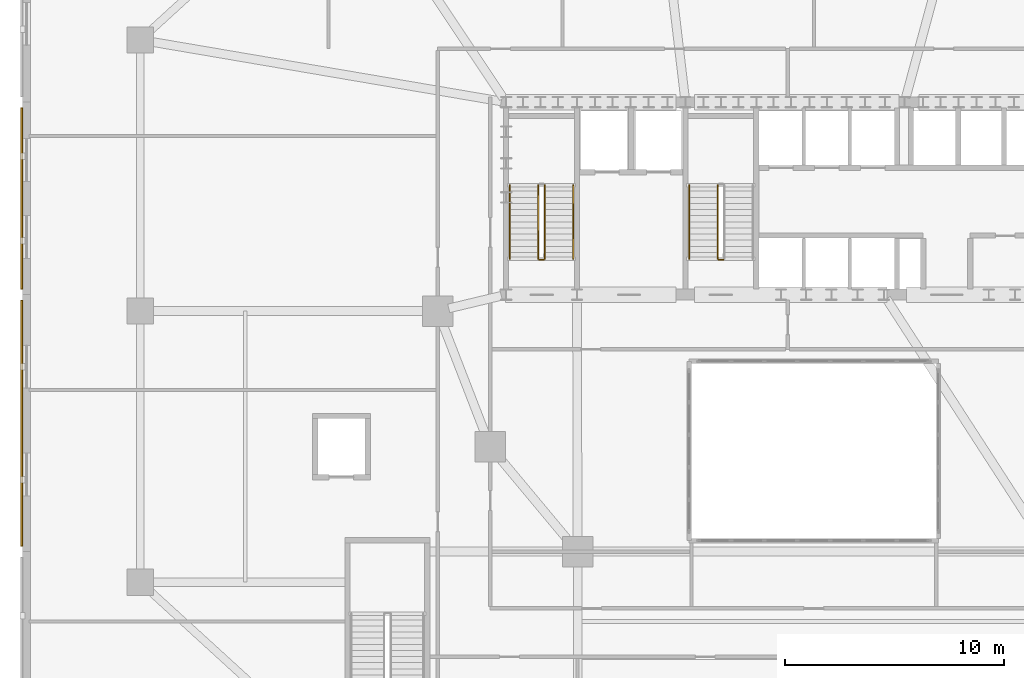
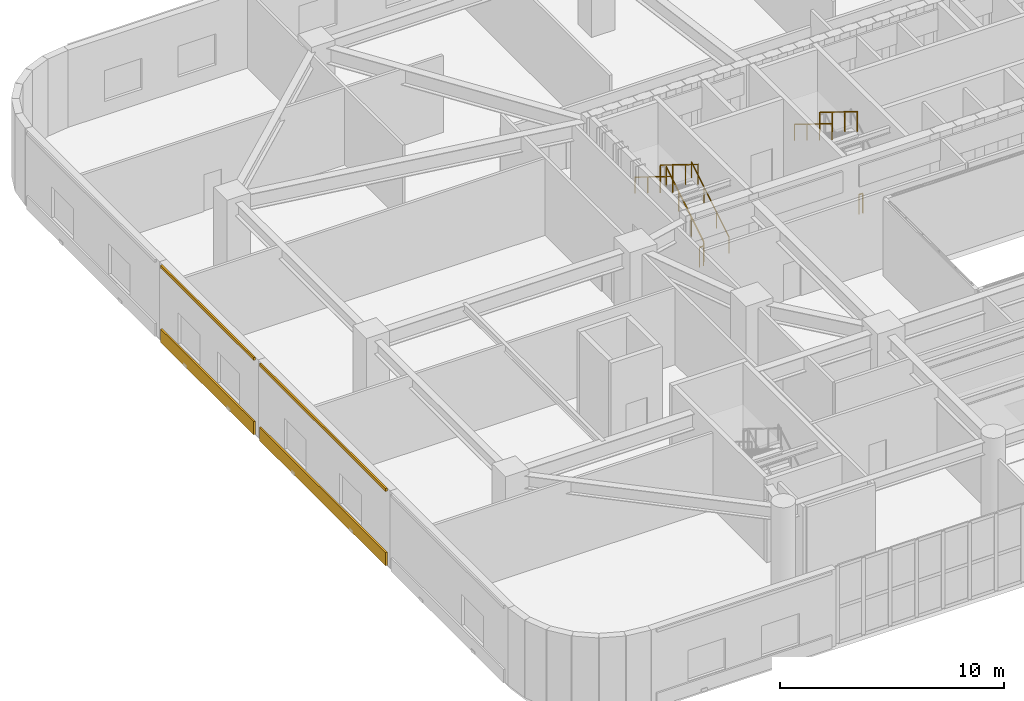
# One storey, part 20 of 25: 8 railings, 4 coverings.
"""IFC4 building model written with IfcOpenShell, lengths in metres."""

import ifcopenshell
import ifcopenshell.guid

model = None  # the IFC model being written
_history = None  # IfcOwnerHistory: only IFC2X3 demands one
_inside = {}  # id of a spatial element -> (the spatial element, [elements in it])
_under = {}  # id of a project, library or spatial element -> (it, [spatial elements below it])
_declared = {}  # id of a project -> (the project, [libraries it declares])
_typed = {}  # id of a type object -> (the type object, [elements of that type])
_made_of = {}  # id of a material, layer set ... -> (it, [elements and type objects made of it])


def new_model(schema):
    """Start an empty IFC model of exactly this schema.

    Asked for "IFC4X3", IfcOpenShell would pick the latest addendum, in which some entities
    have other attributes; the version numbers below select the first issue.
    IFC2X3 requires an IfcOwnerHistory on every rooted entity: one is made here for all.
    """
    global model, _history
    if schema == "IFC4X3":
        model = ifcopenshell.file(schema_version=(4, 3, 0, 0))
    else:
        model = ifcopenshell.file(schema=schema)
    _inside.clear()
    _under.clear()
    _declared.clear()
    _typed.clear()
    _made_of.clear()
    _history = None
    if model.schema == "IFC2X3":
        org = make("IfcOrganization", Name="unknown")
        user = make(
            "IfcPersonAndOrganization",
            ThePerson=make("IfcPerson", FamilyName="unknown"),
            TheOrganization=org,
        )
        app = make(
            "IfcApplication",
            ApplicationDeveloper=org,
            Version="unknown",
            ApplicationFullName="unknown",
            ApplicationIdentifier="unknown",
        )
        _history = make(
            "IfcOwnerHistory",
            OwningUser=user,
            OwningApplication=app,
            ChangeAction="ADDED",
            CreationDate=0,
        )
    return model


def make(cls, **values):
    """One entity of the class cls with the attributes given. An attribute that is None is left unset."""
    return model.create_entity(
        cls, **{name: value for name, value in values.items() if value is not None}
    )


def rooted(cls, **values):
    """An entity with a GlobalId (a new one), such as an element, a storey or a relation."""
    return make(cls, GlobalId=ifcopenshell.guid.new(), OwnerHistory=_history, **values)


def si_unit(unit_type, name, prefix=None):
    """IfcSIUnit, for example si_unit("LENGTHUNIT", "METRE", prefix="MILLI")."""
    return make("IfcSIUnit", UnitType=unit_type, Prefix=prefix, Name=name)


def assignment(units):
    """IfcUnitAssignment: the units of a project."""
    return None if units is None else make("IfcUnitAssignment", Units=units)


def point(xyz):
    """IfcCartesianPoint."""
    return None if xyz is None else make("IfcCartesianPoint", Coordinates=xyz)


def direction(xyz):
    """IfcDirection."""
    return None if xyz is None else make("IfcDirection", DirectionRatios=xyz)


def frame(location, z_axis=None, x_axis=None):
    """IfcAxis2Placement3D, a coordinate frame: its origin and axes. An axis left out is left unset."""
    return make(
        "IfcAxis2Placement3D",
        Location=point(location),
        Axis=direction(z_axis),
        RefDirection=direction(x_axis),
    )


def frame_2d(location, x_axis=None):
    """IfcAxis2Placement2D, a coordinate frame in the plane: its origin and x axis."""
    return make(
        "IfcAxis2Placement2D", Location=point(location), RefDirection=direction(x_axis)
    )


def origin():
    """The frame at (0, 0, 0) with its axes left unset."""
    return frame((0.0, 0.0, 0.0))


def origin_2d():
    """The frame at (0, 0) in the plane with its x axis left unset."""
    return frame_2d((0.0, 0.0))


def place(relative_to, where):
    """IfcLocalPlacement: puts the frame where relative to a parent placement (None: the world)."""
    return make(
        "IfcLocalPlacement", PlacementRelTo=relative_to, RelativePlacement=where
    )


def context(
    kind, dimensions, precision=None, world=None, true_north=None, identifier=None
):
    """IfcGeometricRepresentationContext, for example the 3D "Model" context."""
    return make(
        "IfcGeometricRepresentationContext",
        ContextIdentifier=identifier,
        ContextType=kind,
        CoordinateSpaceDimension=dimensions,
        Precision=precision,
        WorldCoordinateSystem=world,
        TrueNorth=true_north,
    )


def subcontext(parent, identifier, kind, view, scale=None):
    """IfcGeometricRepresentationSubContext, for example "Body" below "Model"."""
    return make(
        "IfcGeometricRepresentationSubContext",
        ContextIdentifier=identifier,
        ContextType=kind,
        ParentContext=parent,
        TargetScale=scale,
        TargetView=view,
    )


def project(units=None, contexts=None):
    """IfcProject with its units and contexts."""
    return rooted(
        "IfcProject",
        Name="project",
        RepresentationContexts=contexts,
        UnitsInContext=assignment(units),
    )


def spatial(cls, under=None, at=None, **own):
    """A site, building, storey or space (cls), placed at a placement, below another one or the project."""
    s = rooted(cls, ObjectPlacement=at, **own)
    if under is not None:
        _under.setdefault(under.id(), (under, []))[1].append(s)
    return s


def polyline(points):
    """IfcPolyline through the points."""
    return make("IfcPolyline", Points=[point(p) for p in points])


def profile(cls, at=None, kind="AREA", **sizes):
    """A parametric profile (cls). Its sizes go by their IFC names, for example OverallWidth=200.0."""
    return make(cls, ProfileType=kind, Position=at, **sizes)


def rectangle(**sizes):
    """IfcRectangleProfileDef."""
    return profile("IfcRectangleProfileDef", **sizes)


def outline(outer, holes=None, kind="AREA"):
    """IfcArbitraryClosedProfileDef: a profile drawn as a closed curve; with holes, ...WithVoids."""
    if holes is None:
        return make("IfcArbitraryClosedProfileDef", ProfileType=kind, OuterCurve=outer)
    return make(
        "IfcArbitraryProfileDefWithVoids",
        ProfileType=kind,
        OuterCurve=outer,
        InnerCurves=holes,
    )


def extrude(swept, where, along, depth):
    """IfcExtrudedAreaSolid: the profile swept, set in the frame where, extruded along a direction by depth."""
    return make(
        "IfcExtrudedAreaSolid",
        SweptArea=swept,
        Position=where,
        ExtrudedDirection=direction(along),
        Depth=depth,
    )


def shape(context_of_items, identifier, shape_type, items):
    """IfcShapeRepresentation: the items that make up one representation, for example the "Body"."""
    return make(
        "IfcShapeRepresentation",
        ContextOfItems=context_of_items,
        RepresentationIdentifier=identifier,
        RepresentationType=shape_type,
        Items=items,
    )


def material(Name=None, Category=None):
    """IfcMaterial."""
    return make("IfcMaterial", Name=Name, Category=Category)


def layer(
    of_material, thickness, ventilated=None, Name=None, Category=None, Priority=None
):
    """IfcMaterialLayer: one layer of a wall or slab, of a material (None: an air gap)."""
    return make(
        "IfcMaterialLayer",
        Material=of_material,
        LayerThickness=thickness,
        IsVentilated=ventilated,
        Name=Name,
        Category=Category,
        Priority=Priority,
    )


def layer_set(layers, Name=None):
    """IfcMaterialLayerSet."""
    return make("IfcMaterialLayerSet", MaterialLayers=layers, LayerSetName=Name)


def made_of(thing, what):
    """Note that an element or type object is made of a material, layer set ...; save() writes the relation."""
    if what is not None:
        _made_of.setdefault(what.id(), (what, []))[1].append(thing)
    return thing


def type_object(cls, material=None, **own):
    """A type object (cls), such as IfcWallType, which elements share."""
    return made_of(rooted(cls, **own), material)


def element(
    cls,
    number,
    at=None,
    inside=None,
    cuts=None,
    type_object=None,
    material=None,
    context=None,
    identifier="Body",
    shape_type=None,
    held_by="IfcProductDefinitionShape",
    body=None,
    shapes=None,
    **own,
):
    """One element of the class cls, such as IfcWall. Its Tag is "e" and its number.

    at: its placement. inside: the storey or other place that contains it. cuts: it is an
    opening in that element (IfcRelVoidsElement). A single representation is given by context,
    identifier, shape_type and body (its items); several are given by shapes. held_by: the class
    of the entity that holds the representations. save() writes the other relations.
    """
    e = rooted(cls, Tag="e%d" % number, ObjectPlacement=at, **own)
    if body is not None:
        shapes = [shape(context, identifier, shape_type, body)]
    if shapes is not None:
        e.Representation = make(held_by, Representations=shapes)
    if inside is not None:
        _inside.setdefault(inside.id(), (inside, []))[1].append(e)
    if cuts is not None:
        rooted(
            "IfcRelVoidsElement", RelatingBuildingElement=cuts, RelatedOpeningElement=e
        )
    if type_object is not None:
        _typed.setdefault(type_object.id(), (type_object, []))[1].append(e)
    return made_of(e, material)


def aggregate(whole, parts):
    """IfcRelAggregates: a whole, such as a stair, and the parts it consists of."""
    return rooted("IfcRelAggregates", RelatingObject=whole, RelatedObjects=parts)


def save(model, path):
    """Write the relations noted so far, then the file.

    IfcRelAggregates (storeys below a building ...), IfcRelContainedInSpatialStructure (elements
    in a storey), IfcRelDefinesByType, IfcRelAssociatesMaterial and IfcRelDeclares: one each for
    every whole, place, type object, material and project.
    """
    for whole, parts in _under.values():
        aggregate(whole, parts)
    for where, things in _inside.values():
        rooted(
            "IfcRelContainedInSpatialStructure",
            RelatedElements=things,
            RelatingStructure=where,
        )
    for kind, things in _typed.values():
        rooted("IfcRelDefinesByType", RelatedObjects=things, RelatingType=kind)
    for what, things in _made_of.values():
        rooted("IfcRelAssociatesMaterial", RelatedObjects=things, RelatingMaterial=what)
    for by, libraries in _declared.values():
        rooted("IfcRelDeclares", RelatingContext=by, RelatedDefinitions=libraries)
    model.write(path)


model = new_model("IFC4")

# Units and contexts
model_context = context("Model", 3, precision=1e-05, world=origin(), true_north=direction((0.0, 1.0)))
body_context = subcontext(model_context, "Body", "Model", "MODEL_VIEW")
ifc_project = project(units=[si_unit("LENGTHUNIT", "METRE"), si_unit("AREAUNIT", "SQUARE_METRE"), si_unit("VOLUMEUNIT", "CUBIC_METRE"), si_unit("PLANEANGLEUNIT", "RADIAN"), si_unit("MASSUNIT", "GRAM", prefix="KILO")], contexts=[model_context])

# Site, building, storey
site_placement = place(None, origin())
site = spatial("IfcSite", under=ifc_project, at=site_placement, CompositionType="ELEMENT")
building_placement = place(site_placement, origin())
building = spatial("IfcBuilding", under=site, at=building_placement, Name="Haldorwick Loom Tower", CompositionType="ELEMENT")
storey_placement = place(building_placement, frame((0.0, 0.0, 10.5)))
storey = spatial("IfcBuildingStorey", under=building, at=storey_placement, Name="L02", CompositionType="ELEMENT", Elevation=10.5)

# Coverings
ifc_material_1 = material(Name="Corbelled Pressed Clay Face Brick Veneer", Category="masonry")
ifc_layer = layer(ifc_material_1, 0.090087890625, Name="Corbelled Pressed Clay Face Brick Veneer", Category="masonry")
ifc_layer_set = layer_set([ifc_layer], Name="Corbelled Pressed Clay Face Brick Veneer")
covering_type = type_object("IfcCoveringType", Name="ARC-COV-BRICK090", PredefinedType="CLADDING", material=ifc_layer_set)
covering_1_placement = place(storey_placement, origin())
element("IfcCovering", 1, at=covering_1_placement, inside=storey, type_object=covering_type, Name="L02 Sill Face-Brick Spandrel 29", PredefinedType="CLADDING", context=body_context, shape_type="SweptSolid", body=[
    extrude(outline(polyline([(-0.27001953125, 35.300048828125), (-0.27001953125, 27.0), (-0.179931640625, 27.0), (-0.179931640625, 35.300048828125), (-0.27001953125, 35.300048828125)])), origin(), (0.0, 0.0, 1.0), 0.719970703125),
])
covering_2_placement = place(storey_placement, frame((0.0, 0.0, 4.0400390625)))
element("IfcCovering", 2, at=covering_2_placement, inside=storey, type_object=covering_type, Name="L02 Head Face-Brick Lintel Band 29", PredefinedType="CLADDING", context=body_context, shape_type="SweptSolid", body=[
    extrude(outline(polyline([(-0.27001953125, 35.300048828125), (-0.27001953125, 27.0), (-0.179931640625, 27.0), (-0.179931640625, 35.300048828125), (-0.27001953125, 35.300048828125)])), origin(), (0.0, 0.0, 1.0), 0.159912109375),
])
covering_3_placement = place(storey_placement, origin())
element("IfcCovering", 3, at=covering_3_placement, inside=storey, type_object=covering_type, Name="L02 Sill Face-Brick Spandrel 30", PredefinedType="CLADDING", context=body_context, shape_type="SweptSolid", body=[
    extrude(outline(polyline([(-0.27001953125, 26.5), (-0.27001953125, 15.25), (-0.179931640625, 15.25), (-0.179931640625, 26.5), (-0.27001953125, 26.5)])), origin(), (0.0, 0.0, 1.0), 0.719970703125),
])
covering_4_placement = place(storey_placement, frame((0.0, 0.0, 4.0400390625)))
element("IfcCovering", 4, at=covering_4_placement, inside=storey, type_object=covering_type, Name="L02 Head Face-Brick Lintel Band 30", PredefinedType="CLADDING", context=body_context, shape_type="SweptSolid", body=[
    extrude(outline(polyline([(-0.27001953125, 26.5), (-0.27001953125, 15.25), (-0.179931640625, 15.25), (-0.179931640625, 26.5), (-0.27001953125, 26.5)])), origin(), (0.0, 0.0, 1.0), 0.159912109375),
])

# Railings
ifc_material_2 = material(Name="Steel CSA G40.21 350W", Category="steel")
railing_type_1 = type_object("IfcRailingType", Name="ARC-RLG-GUARD112", PredefinedType="GUARDRAIL", material=ifc_material_2)
railing_1_placement = place(storey_placement, frame((23.699951171875, 28.39990234375, 0.173095703125)))
element("IfcRailing", 5, at=railing_1_placement, inside=storey, type_object=railing_type_1, Name="L02 ST-01 stair guard 1", PredefinedType="GUARDRAIL", context=body_context, shape_type="SweptSolid", body=[
    extrude(rectangle(XDim=0.048095703125, YDim=0.048095703125, at=origin_2d()), frame((0.0, 0.0, 1.076171875), z_axis=(0.0, 0.850623216509, 0.525775754039), x_axis=(-1.0, 0.0, 0.0)), (0.0, 0.0, 1.0), 3.9501953125),
    extrude(rectangle(XDim=0.0419921875, YDim=0.0419921875, at=origin_2d()), origin(), (0.0, 0.0, 1.0), 1.052001953125),
    extrude(rectangle(XDim=0.0419921875, YDim=0.0419921875, at=origin_2d()), frame((0.0, 1.1201171875, 0.6923828125)), (0.0, 0.0, 1.0), 1.052001953125),
    extrude(rectangle(XDim=0.0419921875, YDim=0.0419921875, at=origin_2d()), frame((0.0, 2.239990234375, 1.384521484375)), (0.0, 0.0, 1.0), 1.052001953125),
    extrude(rectangle(XDim=0.0419921875, YDim=0.0419921875, at=origin_2d()), frame((0.0, 3.360107421875, 2.076904296875)), (0.0, 0.0, 1.0), 1.052001953125),
])
railing_2_placement = place(storey_placement, frame((23.39990234375, 31.760009765625, 2.423095703125)))
element("IfcRailing", 6, at=railing_2_placement, inside=storey, type_object=railing_type_1, Name="L02 ST-01 stair guard 3", PredefinedType="GUARDRAIL", context=body_context, shape_type="SweptSolid", body=[
    extrude(rectangle(XDim=0.048095703125, YDim=0.048095703125, at=origin_2d()), frame((0.0, 0.0, 1.076171875), z_axis=(0.0, -0.850623216509, 0.525775754039), x_axis=(1.0, 0.0, 0.0)), (0.0, 0.0, 1.0), 3.9501953125),
    extrude(rectangle(XDim=0.0419921875, YDim=0.0419921875, at=origin_2d()), origin(), (0.0, 0.0, 1.0), 1.052001953125),
    extrude(rectangle(XDim=0.0419921875, YDim=0.0419921875, at=origin_2d()), frame((0.0, -1.1201171875, 0.6923828125)), (0.0, 0.0, 1.0), 1.052001953125),
    extrude(rectangle(XDim=0.0419921875, YDim=0.0419921875, at=origin_2d()), frame((0.0, -2.239990234375, 1.384521484375)), (0.0, 0.0, 1.0), 1.052001953125),
    extrude(rectangle(XDim=0.0419921875, YDim=0.0419921875, at=origin_2d()), frame((0.0, -3.360107421875, 2.076904296875)), (0.0, 0.0, 1.0), 1.052001953125),
])
railing_3_placement = place(storey_placement, frame((23.64990234375, 28.35009765625, 0.0)))
element("IfcRailing", 7, at=railing_3_placement, inside=storey, type_object=railing_type_1, Name="L02 ST-01 stair guard 4", PredefinedType="GUARDRAIL", context=body_context, shape_type="SweptSolid", body=[
    extrude(rectangle(XDim=0.048095703125, YDim=0.048095703125, at=origin_2d()), frame((0.0, 0.0, 1.076171875), z_axis=(-1.0, 0.0, 0.0), x_axis=(0.0, -1.0, 0.0)), (0.0, 0.0, 1.0), 0.199951171875),
    extrude(rectangle(XDim=0.0419921875, YDim=0.0419921875, at=origin_2d()), origin(), (0.0, 0.0, 1.0), 1.052001953125),
    extrude(rectangle(XDim=0.0419921875, YDim=0.0419921875, at=origin_2d()), frame((-0.199951171875, 0.0, 0.0)), (0.0, 0.0, 1.0), 1.052001953125),
])
railing_4_placement = place(storey_placement, frame((31.60009765625, 31.760009765625, 2.423095703125)))
element("IfcRailing", 8, at=railing_4_placement, inside=storey, type_object=railing_type_1, Name="L02 ST-03 stair guard 3", PredefinedType="GUARDRAIL", context=body_context, shape_type="SweptSolid", body=[
    extrude(rectangle(XDim=0.048095703125, YDim=0.048095703125, at=origin_2d()), frame((0.0, 0.0, 1.076171875), z_axis=(0.0, -0.850623216509, 0.525775754039), x_axis=(1.0, 0.0, 0.0)), (0.0, 0.0, 1.0), 3.9501953125),
    extrude(rectangle(XDim=0.0419921875, YDim=0.0419921875, at=origin_2d()), origin(), (0.0, 0.0, 1.0), 1.052001953125),
    extrude(rectangle(XDim=0.0419921875, YDim=0.0419921875, at=origin_2d()), frame((0.0, -1.1201171875, 0.6923828125)), (0.0, 0.0, 1.0), 1.052001953125),
    extrude(rectangle(XDim=0.0419921875, YDim=0.0419921875, at=origin_2d()), frame((0.0, -2.239990234375, 1.384521484375)), (0.0, 0.0, 1.0), 1.052001953125),
    extrude(rectangle(XDim=0.0419921875, YDim=0.0419921875, at=origin_2d()), frame((0.0, -3.360107421875, 2.076904296875)), (0.0, 0.0, 1.0), 1.052001953125),
])
railing_5_placement = place(storey_placement, frame((31.85009765625, 28.35009765625, 0.0)))
element("IfcRailing", 9, at=railing_5_placement, inside=storey, type_object=railing_type_1, Name="L02 ST-03 stair guard 4", PredefinedType="GUARDRAIL", context=body_context, shape_type="SweptSolid", body=[
    extrude(rectangle(XDim=0.048095703125, YDim=0.048095703125, at=origin_2d()), frame((0.0, 0.0, 1.076171875), z_axis=(-1.0, 0.0, 0.0), x_axis=(0.0, -1.0, 0.0)), (0.0, 0.0, 1.0), 0.2001953125),
    extrude(rectangle(XDim=0.0419921875, YDim=0.0419921875, at=origin_2d()), origin(), (0.0, 0.0, 1.0), 1.052001953125),
    extrude(rectangle(XDim=0.0419921875, YDim=0.0419921875, at=origin_2d()), frame((-0.2001953125, 0.0, 0.0)), (0.0, 0.0, 1.0), 1.052001953125),
])
railing_type_2 = type_object("IfcRailingType", Name="ARC-RLG-HAND092", PredefinedType="HANDRAIL", material=ifc_material_2)
railing_6_placement = place(storey_placement, frame((25.0, 28.39990234375, 0.173095703125)))
element("IfcRailing", 10, at=railing_6_placement, inside=storey, type_object=railing_type_2, Name="L02 ST-01 stair handrail 1", PredefinedType="HANDRAIL", context=body_context, shape_type="SweptSolid", body=[
    extrude(rectangle(XDim=0.048095703125, YDim=0.048095703125, at=origin_2d()), frame((0.0, 0.0, 0.8759765625), z_axis=(0.0, 0.850623216509, 0.525775754039), x_axis=(-1.0, 0.0, 0.0)), (0.0, 0.0, 1.0), 3.9501953125),
    extrude(rectangle(XDim=0.0419921875, YDim=0.0419921875, at=origin_2d()), origin(), (0.0, 0.0, 1.0), 0.851806640625),
    extrude(rectangle(XDim=0.0419921875, YDim=0.0419921875, at=origin_2d()), frame((0.0, 1.1201171875, 0.6923828125)), (0.0, 0.0, 1.0), 0.851806640625),
    extrude(rectangle(XDim=0.0419921875, YDim=0.0419921875, at=origin_2d()), frame((0.0, 2.239990234375, 1.384521484375)), (0.0, 0.0, 1.0), 0.851806640625),
    extrude(rectangle(XDim=0.0419921875, YDim=0.0419921875, at=origin_2d()), frame((0.0, 3.360107421875, 2.076904296875)), (0.0, 0.0, 1.0), 0.851806640625),
])
for number, where, name in (
    (11, (22.10009765625, 31.760009765625, 2.423095703125), "L02 ST-01 stair handrail 2"),
    (12, (30.300048828125, 31.760009765625, 2.423095703125), "L02 ST-03 stair handrail 2"),
):
    element("IfcRailing", number, at=place(storey_placement, frame(where)), inside=storey, type_object=railing_type_2, Name=name, PredefinedType="HANDRAIL", context=body_context, shape_type="SweptSolid", body=[
        extrude(rectangle(XDim=0.048095703125, YDim=0.048095703125, at=origin_2d()), frame((0.0, 0.0, 0.8759765625), z_axis=(0.0, -0.850623216509, 0.525775754039), x_axis=(1.0, 0.0, 0.0)), (0.0, 0.0, 1.0), 3.9501953125),
        extrude(rectangle(XDim=0.0419921875, YDim=0.0419921875, at=origin_2d()), origin(), (0.0, 0.0, 1.0), 0.851806640625),
        extrude(rectangle(XDim=0.0419921875, YDim=0.0419921875, at=origin_2d()), frame((0.0, -1.1201171875, 0.6923828125)), (0.0, 0.0, 1.0), 0.851806640625),
        extrude(rectangle(XDim=0.0419921875, YDim=0.0419921875, at=origin_2d()), frame((0.0, -2.239990234375, 1.384521484375)), (0.0, 0.0, 1.0), 0.851806640625),
        extrude(rectangle(XDim=0.0419921875, YDim=0.0419921875, at=origin_2d()), frame((0.0, -3.360107421875, 2.076904296875)), (0.0, 0.0, 1.0), 0.851806640625),
    ])

save(model, "model.ifc")
